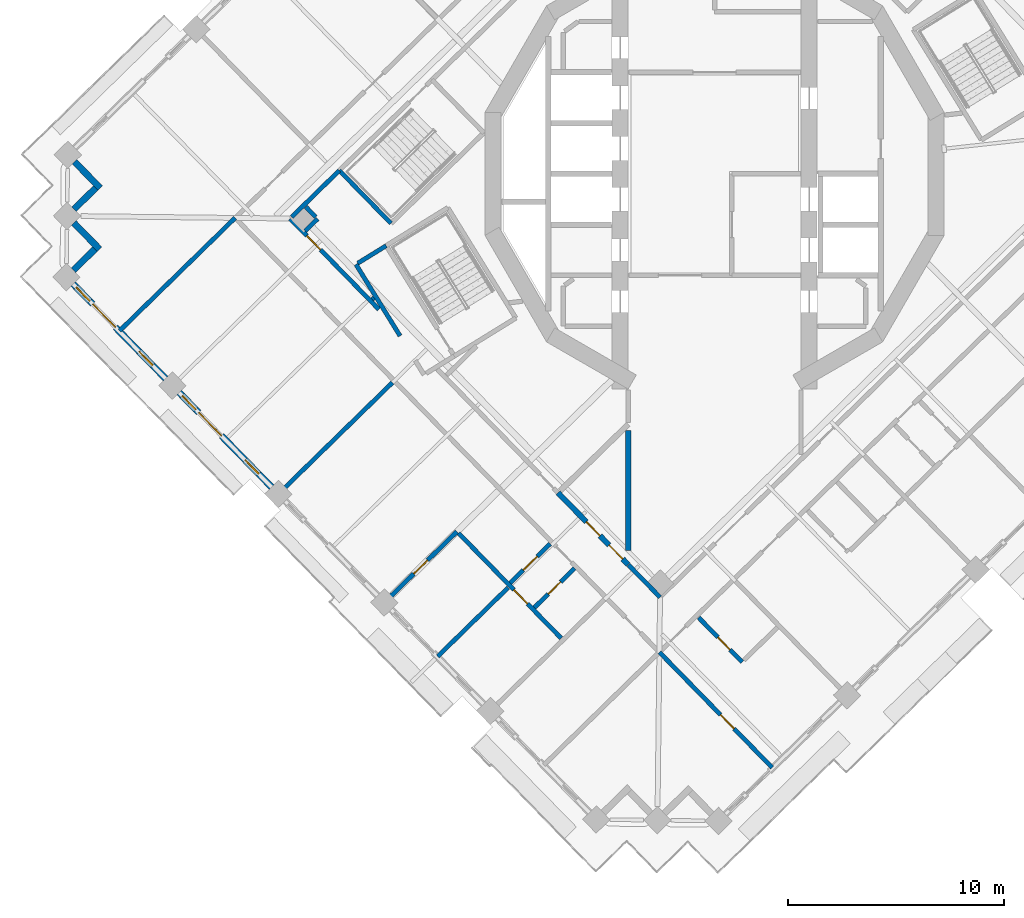
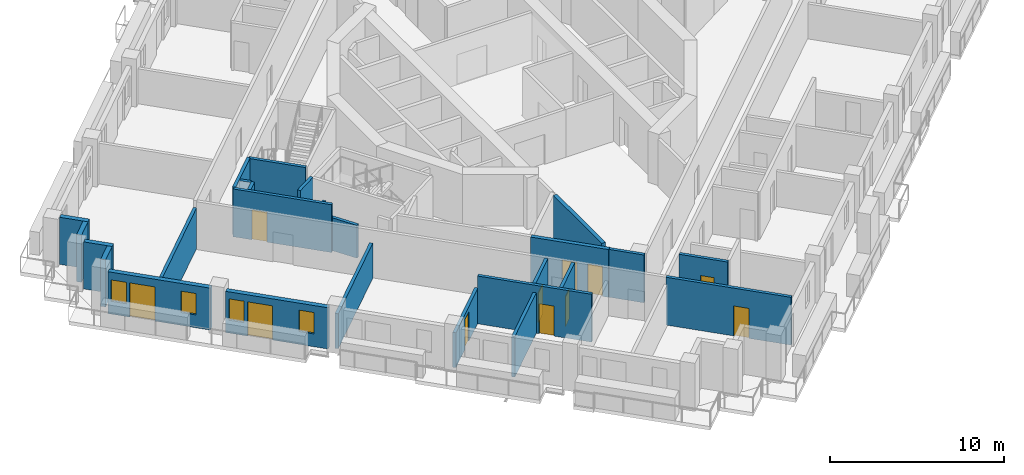
# One storey, part 7 of 20: 26 walls, 11 doors, 4 windows, 15 openings.
"""IFC4 building model written with IfcOpenShell, lengths in metres."""

from ifc_helpers import new_model, si_unit, direction, frame, frame_2d, origin, place, context, subcontext, project, spatial, rectangle, extrude, material, layer, layer_set, type_object, element, fill, save


model = new_model("IFC4")

# Units and contexts
model_context = context("Model", 3, precision=1e-05, world=origin(), true_north=direction((0.0, 1.0)))
body_context = subcontext(model_context, "Body", "Model", "MODEL_VIEW")
ifc_project = project(units=[si_unit("LENGTHUNIT", "METRE"), si_unit("AREAUNIT", "SQUARE_METRE"), si_unit("VOLUMEUNIT", "CUBIC_METRE"), si_unit("PLANEANGLEUNIT", "RADIAN"), si_unit("MASSUNIT", "GRAM", prefix="KILO")], contexts=[model_context])

# Site, building, storey
site_placement = place(None, origin())
site = spatial("IfcSite", under=ifc_project, at=site_placement, CompositionType="ELEMENT")
building_placement = place(site_placement, origin())
building = spatial("IfcBuilding", under=site, at=building_placement, Name="Cantera Rosa Tower", CompositionType="ELEMENT")
storey_placement = place(building_placement, frame((0.0, 0.0, 209.0)))
storey = spatial("IfcBuildingStorey", under=building, at=storey_placement, Name="L44", CompositionType="ELEMENT", Elevation=209.0)

# Wall
ifc_material_1 = material(Name="Gypsum board partition")
ifc_layer_1 = layer(ifc_material_1, 0.199951171875)
ifc_layer_set_1 = layer_set([ifc_layer_1], Name="CORRIDOR WALL 200 H2300")
wall_type_1 = type_object("IfcWallType", Name="CORRIDOR WALL 200 H2300", PredefinedType="PARTITIONING", material=ifc_layer_set_1)
wall_1_placement = place(storey_placement, frame((-16.6005859375, -4.189697265625, 0.0), z_axis=(0.0, 0.0, 1.0), x_axis=(0.524986446256, -0.851110586967, 0.0)))
element("IfcWall", 1, at=wall_1_placement, inside=storey, type_object=wall_type_1, Name="CORRIDOR WALL L44-009", PredefinedType="PARTITIONING", context=body_context, shape_type="SweptSolid", body=[
    extrude(rectangle(XDim=3.890625, YDim=0.199951171875, at=frame_2d((1.9453125, 0.0))), origin(), (0.0, 0.0, 1.0), 2.300048828125),
])

# Wall, opening, door
ifc_material_2 = material(Name="Gypsum board partition")
ifc_layer_2 = layer(ifc_material_2, 0.199951171875)
ifc_layer_set_2 = layer_set([ifc_layer_2], Name="CORRIDOR WALL 200 H3350")
wall_type_2 = type_object("IfcWallType", Name="CORRIDOR WALL 200 H3350", PredefinedType="PARTITIONING", material=ifc_layer_set_2)
wall_2_placement = place(storey_placement, frame((-19.647705078125, -2.069580078125, 0.0), z_axis=(0.0, 0.0, 1.0), x_axis=(0.698845926006, -0.715272236079, 0.0)))
wall_2 = element("IfcWall", 2, at=wall_2_placement, inside=storey, type_object=wall_type_2, Name="CORRIDOR WALL L44-003", PredefinedType="PARTITIONING", context=body_context, shape_type="SweptSolid", body=[
    extrude(rectangle(XDim=5.870849609375, YDim=0.199951171875, at=frame_2d((2.935546875, 0.0))), origin(), (0.0, 0.0, 1.0), 3.35009765625),
])
opening_1_placement = place(wall_2_placement, frame((1.11279296875, 0.0, 0.0)))
opening_1 = element("IfcOpeningElement", 3, at=opening_1_placement, cuts=wall_2, Name="Opening L44-008", PredefinedType="OPENING", context=body_context, shape_type="SweptSolid", body=[
    extrude(rectangle(XDim=0.89990234375, YDim=2.10009765625, at=frame_2d((0.449951171875, 1.050048828125))), frame((0.0, 0.10986328125, 0.0), z_axis=(0.0, -1.0, 0.0), x_axis=(1.0, 0.0, 0.0)), (0.0, 0.0, 1.0), 0.219970703125),
])
ifc_material_3 = material(Name="Timber door leaf", Category="wood")
door_type_1 = type_object("IfcDoorType", Name="SERVICE DOOR 900x2100", OperationType="NOTDEFINED", PredefinedType="DOOR", material=ifc_material_3)
door_1_placement = place(opening_1_placement, origin())
door_1 = element("IfcDoor", 4, at=door_1_placement, inside=storey, type_object=door_type_1, Name="DOOR L44-008", OperationType="NOTDEFINED", OverallHeight=2.10009765625, OverallWidth=0.89990234375, PredefinedType="DOOR", context=body_context, shape_type="SweptSolid", body=[
    extrude(rectangle(XDim=0.89990234375, YDim=2.10009765625, at=frame_2d((0.449951171875, 1.050048828125))), frame((0.0, 0.02490234375, 0.0), z_axis=(0.0, -1.0, 0.0), x_axis=(1.0, 0.0, 0.0)), (0.0, 0.0, 1.0), 0.050048828125),
])
fill(opening_1, door_1)

# Walls
wall_3_placement = place(storey_placement, frame((-17.36962890625, 0.156005859375, 0.0), z_axis=(0.0, 0.0, 1.0), x_axis=(-0.715289693103, -0.69882805821, 0.0)))
element("IfcWall", 5, at=wall_3_placement, inside=storey, type_object=wall_type_2, Name="CORRIDOR WALL L44-007", PredefinedType="PARTITIONING", context=body_context, shape_type="SweptSolid", body=[
    extrude(rectangle(XDim=3.084716796875, YDim=0.199951171875, at=frame_2d((1.54248046875, 0.0))), origin(), (0.0, 0.0, 1.0), 3.35009765625),
])
wall_4_placement = place(storey_placement, frame((-15.20068359375, -3.325927734375, 0.0), z_axis=(0.0, 0.0, 1.0), x_axis=(-0.851055543597, -0.525075672368, 0.0)))
element("IfcWall", 6, at=wall_4_placement, inside=storey, type_object=wall_type_2, Name="CORRIDOR WALL L44-013", PredefinedType="PARTITIONING", context=body_context, shape_type="SweptSolid", body=[
    extrude(rectangle(XDim=1.545166015625, YDim=0.199951171875, at=frame_2d((0.7724609375, 0.0))), origin(), (0.0, 0.0, 1.0), 3.35009765625),
])
wall_5_placement = place(storey_placement, frame((-3.986083984375, -18.10009765625, 0.0), z_axis=(0.0, 0.0, 1.0), x_axis=(0.698877234419, -0.715241645327, 0.0)))
element("IfcWall", 7, at=wall_5_placement, inside=storey, type_object=wall_type_2, Name="CORRIDOR WALL L44-054", PredefinedType="PARTITIONING", context=body_context, shape_type="SweptSolid", body=[
    extrude(rectangle(XDim=2.088623046875, YDim=0.199951171875, at=frame_2d((1.04443359375, 0.0))), origin(), (0.0, 0.0, 1.0), 3.35009765625),
])
ifc_material_4 = material(Name="Hollow clay masonry with cantera stone cladding", Category="masonry")
ifc_layer_3 = layer(ifc_material_4, 0.300048828125)
ifc_layer_set_3 = layer_set([ifc_layer_3], Name="EW-LOGGIA 300")
wall_type_3 = type_object("IfcWallType", Name="EW-LOGGIA 300", PredefinedType="SOLIDWALL", material=ifc_layer_set_3)
wall_6_placement = place(storey_placement, frame((-29.623291015625, 0.556884765625, 0.0), z_axis=(0.0, 0.0, 1.0), x_axis=(0.69880105094, -0.715316077832, 0.0)))
element("IfcWall", 8, at=wall_6_placement, inside=storey, type_object=wall_type_3, Name="EN-L44-W12a", PredefinedType="SOLIDWALL", context=body_context, shape_type="SweptSolid", body=[
    extrude(rectangle(XDim=1.699951171875, YDim=0.300048828125, at=frame_2d((0.85009765625, 0.0))), origin(), (0.0, 0.0, 1.0), 3.300048828125),
])
wall_7_placement = place(storey_placement, frame((-28.6474609375, -0.65673828125, 0.0), z_axis=(0.0, 0.0, 1.0), x_axis=(-0.715341715727, -0.698774806172, 0.0)))
element("IfcWall", 9, at=wall_7_placement, inside=storey, type_object=wall_type_3, Name="EN-L44-W12b", PredefinedType="SOLIDWALL", context=body_context, shape_type="SweptSolid", body=[
    extrude(rectangle(XDim=1.39990234375, YDim=0.300048828125, at=frame_2d((0.699951171875, 0.0))), origin(), (0.0, 0.0, 1.0), 3.300048828125),
])
wall_8_placement = place(storey_placement, frame((-29.65625, -2.271484375, 0.0), z_axis=(0.0, 0.0, 1.0), x_axis=(0.698872839675, -0.715245939495, 0.0)))
element("IfcWall", 10, at=wall_8_placement, inside=storey, type_object=wall_type_3, Name="EN-L44-W13a", PredefinedType="SOLIDWALL", context=body_context, shape_type="SweptSolid", body=[
    extrude(rectangle(XDim=1.699951171875, YDim=0.300048828125, at=frame_2d((0.85009765625, 0.0))), origin(), (0.0, 0.0, 1.0), 3.300048828125),
])
wall_9_placement = place(storey_placement, frame((-28.680419921875, -3.48486328125, 0.0), z_axis=(0.0, 0.0, 1.0), x_axis=(-0.71516937164, -0.698951192766, 0.0)))
element("IfcWall", 11, at=wall_9_placement, inside=storey, type_object=wall_type_3, Name="EN-L44-W13b", PredefinedType="SOLIDWALL", context=body_context, shape_type="SweptSolid", body=[
    extrude(rectangle(XDim=1.39990234375, YDim=0.300048828125, at=frame_2d((0.699951171875, 0.0))), origin(), (0.0, 0.0, 1.0), 3.300048828125),
])

# Wall, openings, windows, door
ifc_material_5 = material(Name="Hollow clay masonry with cantera stone cladding", Category="masonry")
ifc_layer_4 = layer(ifc_material_5, 0.300048828125)
ifc_layer_set_4 = layer_set([ifc_layer_4], Name="EW-LOGGIA 300 H2890")
wall_type_4 = type_object("IfcWallType", Name="EW-LOGGIA 300 H2890", PredefinedType="SOLIDWALL", material=ifc_layer_set_4)
wall_10_placement = place(storey_placement, frame((-24.783203125, -10.120849609375, 0.0), z_axis=(0.0, 0.0, 1.0), x_axis=(0.698800768177, -0.715316354067, 0.0)))
wall_10 = element("IfcWall", 12, at=wall_10_placement, inside=storey, type_object=wall_type_4, Name="EN-L44-W15", PredefinedType="SOLIDWALL", context=body_context, shape_type="SweptSolid", body=[
    extrude(rectangle(XDim=6.119873046875, YDim=0.300048828125, at=frame_2d((3.06005859375, 0.0))), origin(), (0.0, 0.0, 1.0), 2.889892578125),
])
opening_2_placement = place(wall_10_placement, frame((0.199951171875, 0.0, 0.89990234375)))
opening_2 = element("IfcOpeningElement", 13, at=opening_2_placement, cuts=wall_10, Name="Opening L44-W25", PredefinedType="OPENING", context=body_context, shape_type="SweptSolid", body=[
    extrude(rectangle(XDim=0.89990234375, YDim=1.5, at=frame_2d((0.449951171875, 0.75))), frame((0.0, 0.159912109375, 0.0), z_axis=(0.0, -1.0, 0.0), x_axis=(1.0, 0.0, 0.0)), (0.0, 0.0, 1.0), 0.320068359375),
])
opening_3_placement = place(wall_10_placement, frame((1.300048828125, 0.0, 0.0)))
opening_3 = element("IfcOpeningElement", 14, at=opening_3_placement, cuts=wall_10, Name="Opening L44-TD26", PredefinedType="OPENING", context=body_context, shape_type="SweptSolid", body=[
    extrude(rectangle(XDim=1.5, YDim=2.39990234375, at=frame_2d((0.75, 1.199951171875))), frame((0.0, 0.159912109375, 0.0), z_axis=(0.0, -1.0, 0.0), x_axis=(1.0, 0.0, 0.0)), (0.0, 0.0, 1.0), 0.320068359375),
])
opening_4_placement = place(wall_10_placement, frame((4.364990234375, 0.0, 0.89990234375)))
opening_4 = element("IfcOpeningElement", 15, at=opening_4_placement, cuts=wall_10, Name="Opening L44-W27", PredefinedType="OPENING", context=body_context, shape_type="SweptSolid", body=[
    extrude(rectangle(XDim=0.89990234375, YDim=1.5, at=frame_2d((0.449951171875, 0.75))), frame((0.0, 0.159912109375, 0.0), z_axis=(0.0, -1.0, 0.0), x_axis=(1.0, 0.0, 0.0)), (0.0, 0.0, 1.0), 0.320068359375),
])
ifc_material_6 = material(Name="Aluminium frame with clear glass", Category="aluminium")
window_type = type_object("IfcWindowType", Name="Residential window 900x1500", PartitioningType="SINGLE_PANEL", PredefinedType="WINDOW", material=ifc_material_6)
window_1_placement = place(opening_2_placement, origin())
window_1 = element("IfcWindow", 16, at=window_1_placement, inside=storey, type_object=window_type, Name="WINDOW L44-W25", OverallHeight=1.5, OverallWidth=0.89990234375, PartitioningType="SINGLE_PANEL", PredefinedType="WINDOW", context=body_context, shape_type="SweptSolid", body=[
    extrude(rectangle(XDim=0.89990234375, YDim=1.5, at=frame_2d((0.449951171875, 0.75))), frame((0.0, 0.030029296875, 0.0), z_axis=(0.0, -1.0, 0.0), x_axis=(1.0, 0.0, 0.0)), (0.0, 0.0, 1.0), 0.06005859375),
])
fill(opening_2, window_1)
window_2_placement = place(opening_4_placement, origin())
window_2 = element("IfcWindow", 17, at=window_2_placement, inside=storey, type_object=window_type, Name="WINDOW L44-W27", OverallHeight=1.5, OverallWidth=0.89990234375, PartitioningType="SINGLE_PANEL", PredefinedType="WINDOW", context=body_context, shape_type="SweptSolid", body=[
    extrude(rectangle(XDim=0.89990234375, YDim=1.5, at=frame_2d((0.449951171875, 0.75))), frame((0.0, 0.030029296875, 0.0), z_axis=(0.0, -1.0, 0.0), x_axis=(1.0, 0.0, 0.0)), (0.0, 0.0, 1.0), 0.06005859375),
])
fill(opening_4, window_2)
ifc_material_7 = material(Name="Aluminium frame with clear glass", Category="aluminium")
door_type_2 = type_object("IfcDoorType", Name="TD-R 1500x2400", OperationType="NOTDEFINED", PredefinedType="DOOR", material=ifc_material_7)
door_2_placement = place(opening_3_placement, origin())
door_2 = element("IfcDoor", 18, at=door_2_placement, inside=storey, type_object=door_type_2, Name="LOGGIA DOOR L44-TD26", OperationType="SLIDING_TO_LEFT", OverallHeight=2.39990234375, OverallWidth=1.5, PredefinedType="DOOR", context=body_context, shape_type="SweptSolid", body=[
    extrude(rectangle(XDim=1.5, YDim=2.39990234375, at=frame_2d((0.75, 1.199951171875))), frame((0.0, 0.02490234375, 0.0), z_axis=(0.0, -1.0, 0.0), x_axis=(1.0, 0.0, 0.0)), (0.0, 0.0, 1.0), 0.050048828125),
])
fill(opening_3, door_2)

ifc_material_8 = material(Name="Hollow clay masonry with cantera stone cladding", Category="masonry")
ifc_layer_5 = layer(ifc_material_8, 0.300048828125)
ifc_layer_set_5 = layer_set([ifc_layer_5], Name="EW-LOGGIA 300 H2940")
wall_type_5 = type_object("IfcWallType", Name="EW-LOGGIA 300 H2940", PredefinedType="SOLIDWALL", material=ifc_layer_set_5)
wall_11_placement = place(storey_placement, frame((-29.689208984375, -5.099609375, 0.0), z_axis=(0.0, 0.0, 1.0), x_axis=(0.69882117953, -0.715296413412, 0.0)))
wall_11 = element("IfcWall", 19, at=wall_11_placement, inside=storey, type_object=wall_type_5, Name="EN-L44-W14", PredefinedType="SOLIDWALL", context=body_context, shape_type="SweptSolid", body=[
    extrude(rectangle(XDim=6.1201171875, YDim=0.300048828125, at=frame_2d((3.06005859375, 0.0))), origin(), (0.0, 0.0, 1.0), 2.93994140625),
])
opening_5_placement = place(wall_11_placement, frame((0.199951171875, 0.0, 0.89990234375)))
opening_5 = element("IfcOpeningElement", 20, at=opening_5_placement, cuts=wall_11, Name="Opening L44-W22", PredefinedType="OPENING", context=body_context, shape_type="SweptSolid", body=[
    extrude(rectangle(XDim=0.89990234375, YDim=1.5, at=frame_2d((0.449951171875, 0.75))), frame((0.0, 0.159912109375, 0.0), z_axis=(0.0, -1.0, 0.0), x_axis=(1.0, 0.0, 0.0)), (0.0, 0.0, 1.0), 0.320068359375),
])
opening_6_placement = place(wall_11_placement, frame((1.300048828125, 0.0, 0.0)))
opening_6 = element("IfcOpeningElement", 21, at=opening_6_placement, cuts=wall_11, Name="Opening L44-TD23", PredefinedType="OPENING", context=body_context, shape_type="SweptSolid", body=[
    extrude(rectangle(XDim=1.5, YDim=2.39990234375, at=frame_2d((0.75, 1.199951171875))), frame((0.0, 0.159912109375, 0.0), z_axis=(0.0, -1.0, 0.0), x_axis=(1.0, 0.0, 0.0)), (0.0, 0.0, 1.0), 0.320068359375),
])
opening_7_placement = place(wall_11_placement, frame((4.364990234375, 0.0, 0.89990234375)))
opening_7 = element("IfcOpeningElement", 22, at=opening_7_placement, cuts=wall_11, Name="Opening L44-W24", PredefinedType="OPENING", context=body_context, shape_type="SweptSolid", body=[
    extrude(rectangle(XDim=0.89990234375, YDim=1.5, at=frame_2d((0.449951171875, 0.75))), frame((0.0, 0.159912109375, 0.0), z_axis=(0.0, -1.0, 0.0), x_axis=(1.0, 0.0, 0.0)), (0.0, 0.0, 1.0), 0.320068359375),
])
window_3_placement = place(opening_5_placement, origin())
window_3 = element("IfcWindow", 23, at=window_3_placement, inside=storey, type_object=window_type, Name="WINDOW L44-W22", OverallHeight=1.5, OverallWidth=0.89990234375, PartitioningType="SINGLE_PANEL", PredefinedType="WINDOW", context=body_context, shape_type="SweptSolid", body=[
    extrude(rectangle(XDim=0.89990234375, YDim=1.5, at=frame_2d((0.449951171875, 0.75))), frame((0.0, 0.030029296875, 0.0), z_axis=(0.0, -1.0, 0.0), x_axis=(1.0, 0.0, 0.0)), (0.0, 0.0, 1.0), 0.06005859375),
])
fill(opening_5, window_3)
window_4_placement = place(opening_7_placement, origin())
window_4 = element("IfcWindow", 24, at=window_4_placement, inside=storey, type_object=window_type, Name="WINDOW L44-W24", OverallHeight=1.5, OverallWidth=0.89990234375, PartitioningType="SINGLE_PANEL", PredefinedType="WINDOW", context=body_context, shape_type="SweptSolid", body=[
    extrude(rectangle(XDim=0.89990234375, YDim=1.5, at=frame_2d((0.449951171875, 0.75))), frame((0.0, 0.030029296875, 0.0), z_axis=(0.0, -1.0, 0.0), x_axis=(1.0, 0.0, 0.0)), (0.0, 0.0, 1.0), 0.06005859375),
])
fill(opening_7, window_4)
door_3_placement = place(opening_6_placement, origin())
door_3 = element("IfcDoor", 25, at=door_3_placement, inside=storey, type_object=door_type_2, Name="LOGGIA DOOR L44-TD23", OperationType="SLIDING_TO_LEFT", OverallHeight=2.39990234375, OverallWidth=1.5, PredefinedType="DOOR", context=body_context, shape_type="SweptSolid", body=[
    extrude(rectangle(XDim=1.5, YDim=2.39990234375, at=frame_2d((0.75, 1.199951171875))), frame((0.0, 0.02490234375, 0.0), z_axis=(0.0, -1.0, 0.0), x_axis=(1.0, 0.0, 0.0)), (0.0, 0.0, 1.0), 0.050048828125),
])
fill(opening_6, door_3)

# Wall, opening, door
ifc_material_9 = material(Name="Gypsum board partition")
ifc_layer_6 = layer(ifc_material_9, 0.199951171875)
ifc_layer_set_6 = layer_set([ifc_layer_6], Name="PARTITION 200 H2450")
wall_type_6 = type_object("IfcWallType", Name="PARTITION 200 H2450", PredefinedType="PARTITIONING", material=ifc_layer_set_6)
wall_12_placement = place(storey_placement, frame((-15.2646484375, -19.82080078125, 0.0), z_axis=(0.0, 0.0, 1.0), x_axis=(0.715266781779, 0.698851508465, 0.0)))
wall_12 = element("IfcWall", 26, at=wall_12_placement, inside=storey, type_object=wall_type_6, Name="PARTITION L44-012", PredefinedType="PARTITIONING", context=body_context, shape_type="SweptSolid", body=[
    extrude(rectangle(XDim=4.670166015625, YDim=0.199951171875, at=frame_2d((2.3349609375, 0.0))), origin(), (0.0, 0.0, 1.0), 2.449951171875),
])
opening_8_placement = place(wall_12_placement, frame((1.8701171875, 0.0, 0.0)))
opening_8 = element("IfcOpeningElement", 27, at=opening_8_placement, cuts=wall_12, Name="Opening L44-043", PredefinedType="OPENING", context=body_context, shape_type="SweptSolid", body=[
    extrude(rectangle(XDim=0.89990234375, YDim=2.10009765625, at=frame_2d((0.449951171875, 1.050048828125))), frame((0.0, 0.10986328125, 0.0), z_axis=(0.0, -1.0, 0.0), x_axis=(1.0, 0.0, 0.0)), (0.0, 0.0, 1.0), 0.219970703125),
])
ifc_material_10 = material(Name="Timber door leaf", Category="wood")
door_type_3 = type_object("IfcDoorType", Name="ROOM DOOR 900x2100", OperationType="NOTDEFINED", PredefinedType="DOOR", material=ifc_material_10)
door_4_placement = place(opening_8_placement, origin())
door_4 = element("IfcDoor", 28, at=door_4_placement, inside=storey, type_object=door_type_3, Name="DOOR L44-043", OperationType="NOTDEFINED", OverallHeight=2.10009765625, OverallWidth=0.89990234375, PredefinedType="DOOR", context=body_context, shape_type="SweptSolid", body=[
    extrude(rectangle(XDim=0.89990234375, YDim=2.10009765625, at=frame_2d((0.449951171875, 1.050048828125))), frame((0.0, 0.02490234375, 0.0), z_axis=(0.0, -1.0, 0.0), x_axis=(1.0, 0.0, 0.0)), (0.0, 0.0, 1.0), 0.050048828125),
])
fill(opening_8, door_4)

# Walls
ifc_material_11 = material(Name="Gypsum board partition")
ifc_layer_7 = layer(ifc_material_11, 0.199951171875)
ifc_layer_set_7 = layer_set([ifc_layer_7], Name="PARTITION 200 H2850")
wall_type_7 = type_object("IfcWallType", Name="PARTITION 200 H2850", PredefinedType="PARTITIONING", material=ifc_layer_set_7)
wall_13_placement = place(storey_placement, frame((-22.193115234375, -2.0400390625, 0.0), z_axis=(0.0, 0.0, 1.0), x_axis=(-0.715278908715, -0.698839096465, 0.0)))
element("IfcWall", 29, at=wall_13_placement, inside=storey, type_object=wall_type_7, Name="PARTITION L44-001", PredefinedType="PARTITIONING", context=body_context, shape_type="SweptSolid", body=[
    extrude(rectangle(XDim=7.4697265625, YDim=0.199951171875, at=frame_2d((3.73486328125, 0.0))), origin(), (0.0, 0.0, 1.0), 2.85009765625),
])
wall_14_placement = place(storey_placement, frame((-12.811767578125, -22.331298828125, 0.0), z_axis=(0.0, 0.0, 1.0), x_axis=(0.715268883314, 0.698849357561, 0.0)))
element("IfcWall", 30, at=wall_14_placement, inside=storey, type_object=wall_type_7, Name="PARTITION L44-020", PredefinedType="PARTITIONING", context=body_context, shape_type="SweptSolid", body=[
    extrude(rectangle(XDim=4.5498046875, YDim=0.199951171875, at=frame_2d((2.27490234375, 0.0))), origin(), (0.0, 0.0, 1.0), 2.85009765625),
])
ifc_material_12 = material(Name="Gypsum board partition")
ifc_layer_8 = layer(ifc_material_12, 0.199951171875)
ifc_layer_set_8 = layer_set([ifc_layer_8], Name="PARTITION 200 H3350")
wall_type_8 = type_object("IfcWallType", Name="PARTITION 200 H3350", PredefinedType="PARTITIONING", material=ifc_layer_set_8)
wall_15_placement = place(storey_placement, frame((-18.947021484375, -2.6435546875, 0.0), z_axis=(0.0, 0.0, 1.0), x_axis=(0.715149057924, 0.698971977228, 0.0)))
element("IfcWall", 31, at=wall_15_placement, inside=storey, type_object=wall_type_8, Name="PARTITION L44-004", PredefinedType="PARTITIONING", context=body_context, shape_type="SweptSolid", body=[
    extrude(rectangle(XDim=0.7998046875, YDim=0.199951171875, at=frame_2d((0.39990234375, 0.0))), origin(), (0.0, 0.0, 1.0), 3.35009765625),
])
wall_16_placement = place(storey_placement, frame((-18.458740234375, -1.99853515625, 0.0), z_axis=(0.0, 0.0, 1.0), x_axis=(-0.698920044304, 0.715199812409, 0.0)))
element("IfcWall", 32, at=wall_16_placement, inside=storey, type_object=wall_type_8, Name="PARTITION L44-006", PredefinedType="PARTITIONING", context=body_context, shape_type="SweptSolid", body=[
    extrude(rectangle(XDim=0.659912109375, YDim=0.199951171875, at=frame_2d((0.330078125, 0.0))), origin(), (0.0, 0.0, 1.0), 3.35009765625),
])
wall_17_placement = place(storey_placement, frame((-15.76025390625, -5.741455078125, 0.0), z_axis=(0.0, 0.0, 1.0), x_axis=(-0.787193992955, -0.616705454374, 0.0)))
element("IfcWall", 33, at=wall_17_placement, inside=storey, type_object=wall_type_8, Name="PARTITION L44-011", PredefinedType="PARTITIONING", context=body_context, shape_type="SweptSolid", body=[
    extrude(rectangle(XDim=0.115966796875, YDim=0.199951171875, at=frame_2d((0.05810546875, 0.0))), origin(), (0.0, 0.0, 1.0), 3.35009765625),
])

# Wall, opening, door
wall_18_placement = place(storey_placement, frame((-11.8544921875, -16.628662109375, 0.0), z_axis=(0.0, 0.0, 1.0), x_axis=(0.698837366631, -0.715280598787, 0.0)))
wall_18 = element("IfcWall", 34, at=wall_18_placement, inside=storey, type_object=wall_type_8, Name="PARTITION L44-025", PredefinedType="PARTITIONING", context=body_context, shape_type="SweptSolid", body=[
    extrude(rectangle(XDim=6.800048828125, YDim=0.199951171875, at=frame_2d((3.39990234375, 0.0))), origin(), (0.0, 0.0, 1.0), 3.35009765625),
])
opening_9_placement = place(wall_18_placement, frame((3.669921875, 0.0, 0.0)))
opening_9 = element("IfcOpeningElement", 35, at=opening_9_placement, cuts=wall_18, Name="Opening L44-042", PredefinedType="OPENING", context=body_context, shape_type="SweptSolid", body=[
    extrude(rectangle(XDim=0.89990234375, YDim=2.10009765625, at=frame_2d((0.449951171875, 1.050048828125))), frame((0.0, 0.10986328125, 0.0), z_axis=(0.0, -1.0, 0.0), x_axis=(1.0, 0.0, 0.0)), (0.0, 0.0, 1.0), 0.219970703125),
])
door_5_placement = place(opening_9_placement, origin())
door_5 = element("IfcDoor", 36, at=door_5_placement, inside=storey, type_object=door_type_3, Name="DOOR L44-042", OperationType="NOTDEFINED", OverallHeight=2.10009765625, OverallWidth=0.89990234375, PredefinedType="DOOR", context=body_context, shape_type="SweptSolid", body=[
    extrude(rectangle(XDim=0.89990234375, YDim=2.10009765625, at=frame_2d((0.449951171875, 1.050048828125))), frame((0.0, 0.02490234375, 0.0), z_axis=(0.0, -1.0, 0.0), x_axis=(1.0, 0.0, 0.0)), (0.0, 0.0, 1.0), 0.050048828125),
])
fill(opening_9, door_5)

wall_19_placement = place(storey_placement, frame((-9.462890625, -18.93359375, 0.0), z_axis=(0.0, 0.0, 1.0), x_axis=(0.715291472517, 0.698826236875, 0.0)))
wall_19 = element("IfcWall", 37, at=wall_19_placement, inside=storey, type_object=wall_type_8, Name="PARTITION L44-028", PredefinedType="PARTITIONING", context=body_context, shape_type="SweptSolid", body=[
    extrude(rectangle(XDim=2.580078125, YDim=0.199951171875, at=frame_2d((1.2900390625, 0.0))), origin(), (0.0, 0.0, 1.0), 3.35009765625),
])
opening_10_placement = place(wall_19_placement, frame((0.85009765625, 0.0, 0.0)))
opening_10 = element("IfcOpeningElement", 38, at=opening_10_placement, cuts=wall_19, Name="Opening L44-041", PredefinedType="OPENING", context=body_context, shape_type="SweptSolid", body=[
    extrude(rectangle(XDim=0.89990234375, YDim=2.10009765625, at=frame_2d((0.449951171875, 1.050048828125))), frame((0.0, 0.10986328125, 0.0), z_axis=(0.0, -1.0, 0.0), x_axis=(1.0, 0.0, 0.0)), (0.0, 0.0, 1.0), 0.219970703125),
])
door_6_placement = place(opening_10_placement, origin())
door_6 = element("IfcDoor", 39, at=door_6_placement, inside=storey, type_object=door_type_3, Name="DOOR L44-041", OperationType="NOTDEFINED", OverallHeight=2.10009765625, OverallWidth=0.89990234375, PredefinedType="DOOR", context=body_context, shape_type="SweptSolid", body=[
    extrude(rectangle(XDim=0.89990234375, YDim=2.10009765625, at=frame_2d((0.449951171875, 1.050048828125))), frame((0.0, 0.02490234375, 0.0), z_axis=(0.0, -1.0, 0.0), x_axis=(1.0, 0.0, 0.0)), (0.0, 0.0, 1.0), 0.050048828125),
])
fill(opening_10, door_6)

wall_20_placement = place(storey_placement, frame((-8.3447265625, -20.077880859375, 0.0), z_axis=(0.0, 0.0, 1.0), x_axis=(0.715321599766, 0.698795398459, 0.0)))
wall_20 = element("IfcWall", 40, at=wall_20_placement, inside=storey, type_object=wall_type_8, Name="PARTITION L44-033", PredefinedType="PARTITIONING", context=body_context, shape_type="SweptSolid", body=[
    extrude(rectangle(XDim=2.60009765625, YDim=0.199951171875, at=frame_2d((1.300048828125, 0.0))), origin(), (0.0, 0.0, 1.0), 3.35009765625),
])
opening_11_placement = place(wall_20_placement, frame((0.89990234375, 0.0, 0.0)))
opening_11 = element("IfcOpeningElement", 41, at=opening_11_placement, cuts=wall_20, Name="Opening L44-040", PredefinedType="OPENING", context=body_context, shape_type="SweptSolid", body=[
    extrude(rectangle(XDim=0.800048828125, YDim=2.10009765625, at=frame_2d((0.39990234375, 1.050048828125))), frame((0.0, 0.10986328125, 0.0), z_axis=(0.0, -1.0, 0.0), x_axis=(1.0, 0.0, 0.0)), (0.0, 0.0, 1.0), 0.219970703125),
])
ifc_material_13 = material(Name="Timber door leaf", Category="wood")
door_type_4 = type_object("IfcDoorType", Name="BATHROOM DOOR 800x2100", OperationType="NOTDEFINED", PredefinedType="DOOR", material=ifc_material_13)
door_7_placement = place(opening_11_placement, origin())
door_7 = element("IfcDoor", 42, at=door_7_placement, inside=storey, type_object=door_type_4, Name="DOOR L44-040", OperationType="NOTDEFINED", OverallHeight=2.10009765625, OverallWidth=0.800048828125, PredefinedType="DOOR", context=body_context, shape_type="SweptSolid", body=[
    extrude(rectangle(XDim=0.800048828125, YDim=2.10009765625, at=frame_2d((0.39990234375, 1.050048828125))), frame((0.0, 0.02490234375, 0.0), z_axis=(0.0, -1.0, 0.0), x_axis=(1.0, 0.0, 0.0)), (0.0, 0.0, 1.0), 0.050048828125),
])
fill(opening_11, door_7)

wall_21_placement = place(storey_placement, frame((-2.555908203125, -22.1396484375, 0.0), z_axis=(0.0, 0.0, 1.0), x_axis=(0.698839096465, -0.715278908715, 0.0)))
wall_21 = element("IfcWall", 43, at=wall_21_placement, inside=storey, type_object=wall_type_8, Name="PARTITION L44-061", PredefinedType="PARTITIONING", context=body_context, shape_type="SweptSolid", body=[
    extrude(rectangle(XDim=7.4697265625, YDim=0.199951171875, at=frame_2d((3.73486328125, 0.0))), origin(), (0.0, 0.0, 1.0), 3.35009765625),
])
opening_12_placement = place(wall_21_placement, frame((4.050048828125, 0.0, 0.0)))
opening_12 = element("IfcOpeningElement", 44, at=opening_12_placement, cuts=wall_21, Name="Opening L44-055", PredefinedType="OPENING", context=body_context, shape_type="SweptSolid", body=[
    extrude(rectangle(XDim=0.89990234375, YDim=2.10009765625, at=frame_2d((0.449951171875, 1.050048828125))), frame((0.0, 0.10986328125, 0.0), z_axis=(0.0, -1.0, 0.0), x_axis=(1.0, 0.0, 0.0)), (0.0, 0.0, 1.0), 0.219970703125),
])
door_8_placement = place(opening_12_placement, origin())
door_8 = element("IfcDoor", 45, at=door_8_placement, inside=storey, type_object=door_type_3, Name="DOOR L44-055", OperationType="NOTDEFINED", OverallHeight=2.10009765625, OverallWidth=0.89990234375, PredefinedType="DOOR", context=body_context, shape_type="SweptSolid", body=[
    extrude(rectangle(XDim=0.89990234375, YDim=2.10009765625, at=frame_2d((0.449951171875, 1.050048828125))), frame((0.0, 0.02490234375, 0.0), z_axis=(0.0, -1.0, 0.0), x_axis=(1.0, 0.0, 0.0)), (0.0, 0.0, 1.0), 0.050048828125),
])
fill(opening_12, door_8)

wall_22_placement = place(storey_placement, frame((1.271484375, -22.59423828125, 0.0), z_axis=(0.0, 0.0, 1.0), x_axis=(-0.698792995546, 0.715323947157, 0.0)))
wall_22 = element("IfcWall", 46, at=wall_22_placement, inside=storey, type_object=wall_type_8, Name="PARTITION L44-071", PredefinedType="PARTITIONING", context=body_context, shape_type="SweptSolid", body=[
    extrude(rectangle(XDim=2.8798828125, YDim=0.199951171875, at=frame_2d((1.43994140625, 0.0))), origin(), (0.0, 0.0, 1.0), 3.35009765625),
])
opening_13_placement = place(wall_22_placement, frame((0.800048828125, 0.0, 0.0)))
opening_13 = element("IfcOpeningElement", 47, at=opening_13_placement, cuts=wall_22, Name="Opening L44-054", PredefinedType="OPENING", context=body_context, shape_type="SweptSolid", body=[
    extrude(rectangle(XDim=0.800048828125, YDim=2.10009765625, at=frame_2d((0.39990234375, 1.050048828125))), frame((0.0, 0.10986328125, 0.0), z_axis=(0.0, -1.0, 0.0), x_axis=(1.0, 0.0, 0.0)), (0.0, 0.0, 1.0), 0.219970703125),
])
door_9_placement = place(opening_13_placement, origin())
door_9 = element("IfcDoor", 48, at=door_9_placement, inside=storey, type_object=door_type_4, Name="DOOR L44-054", OperationType="NOTDEFINED", OverallHeight=2.10009765625, OverallWidth=0.800048828125, PredefinedType="DOOR", context=body_context, shape_type="SweptSolid", body=[
    extrude(rectangle(XDim=0.800048828125, YDim=2.10009765625, at=frame_2d((0.39990234375, 1.050048828125))), frame((0.0, 0.02490234375, 0.0), z_axis=(0.0, -1.0, 0.0), x_axis=(1.0, 0.0, 0.0)), (0.0, 0.0, 1.0), 0.050048828125),
])
fill(opening_13, door_9)

# Wall
ifc_material_14 = material(Name="Gypsum board partition")
ifc_layer_9 = layer(ifc_material_14, 0.199951171875)
ifc_layer_set_9 = layer_set([ifc_layer_9], Name="PARTY WALL 200 H2450")
wall_type_9 = type_object("IfcWallType", Name="PARTY WALL 200 H2450", PredefinedType="PARTITIONING", material=ifc_layer_set_9)
wall_23_placement = place(storey_placement, frame((-14.9130859375, -9.6630859375, 0.0), z_axis=(0.0, 0.0, 1.0), x_axis=(-0.715296630095, -0.698820957739, 0.0)))
element("IfcWall", 49, at=wall_23_placement, inside=storey, type_object=wall_type_9, Name="PARTY WALL L44-015", PredefinedType="PARTITIONING", context=body_context, shape_type="SweptSolid", body=[
    extrude(rectangle(XDim=7.349853515625, YDim=0.199951171875, at=frame_2d((3.6748046875, 0.0))), origin(), (0.0, 0.0, 1.0), 2.449951171875),
])

# Wall, openings, doors
ifc_material_15 = material(Name="Masonry blockwork", Category="masonry")
ifc_layer_10 = layer(ifc_material_15, 0.25)
ifc_layer_set_10 = layer_set([ifc_layer_10], Name="SHAFT WALL 250 H3350")
wall_type_10 = type_object("IfcWallType", Name="SHAFT WALL 250 H3350", PredefinedType="SOLIDWALL", material=ifc_layer_set_10)
wall_24_placement = place(storey_placement, frame((-7.243408203125, -14.76611328125, 0.0), z_axis=(0.0, 0.0, 1.0), x_axis=(0.698852834241, -0.715265486427, 0.0)))
wall_24 = element("IfcWall", 50, at=wall_24_placement, inside=storey, type_object=wall_type_10, Name="SHAFT WALL L44-042", PredefinedType="SOLIDWALL", context=body_context, shape_type="SweptSolid", body=[
    extrude(rectangle(XDim=4.64111328125, YDim=0.25, at=frame_2d((2.320556640625, 0.0))), origin(), (0.0, 0.0, 1.0), 3.35009765625),
])
opening_14_placement = place(wall_24_placement, frame((3.37890625, 0.0, 0.0)))
opening_14 = element("IfcOpeningElement", 51, at=opening_14_placement, cuts=wall_24, Name="Opening L44-010", PredefinedType="OPENING", context=body_context, shape_type="SweptSolid", body=[
    extrude(rectangle(XDim=0.89990234375, YDim=2.10009765625, at=frame_2d((0.449951171875, 1.050048828125))), frame((0.0, 0.135009765625, 0.0), z_axis=(0.0, -1.0, 0.0), x_axis=(1.0, 0.0, 0.0)), (0.0, 0.0, 1.0), 0.27001953125),
])
opening_15_placement = place(wall_24_placement, frame((1.87060546875, 0.0, 0.0)))
opening_15 = element("IfcOpeningElement", 52, at=opening_15_placement, cuts=wall_24, Name="Opening L44-057", PredefinedType="OPENING", context=body_context, shape_type="SweptSolid", body=[
    extrude(rectangle(XDim=0.89990234375, YDim=2.10009765625, at=frame_2d((0.449951171875, 1.050048828125))), frame((0.0, 0.135009765625, 0.0), z_axis=(0.0, -1.0, 0.0), x_axis=(1.0, 0.0, 0.0)), (0.0, 0.0, 1.0), 0.27001953125),
])
door_10_placement = place(opening_14_placement, origin())
door_10 = element("IfcDoor", 53, at=door_10_placement, inside=storey, type_object=door_type_1, Name="RISER DOOR L44-010", OperationType="NOTDEFINED", OverallHeight=2.10009765625, OverallWidth=0.89990234375, PredefinedType="DOOR", context=body_context, shape_type="SweptSolid", body=[
    extrude(rectangle(XDim=0.89990234375, YDim=2.10009765625, at=frame_2d((0.449951171875, 1.050048828125))), frame((0.0, 0.02490234375, 0.0), z_axis=(0.0, -1.0, 0.0), x_axis=(1.0, 0.0, 0.0)), (0.0, 0.0, 1.0), 0.050048828125),
])
fill(opening_14, door_10)
door_11_placement = place(opening_15_placement, origin())
door_11 = element("IfcDoor", 54, at=door_11_placement, inside=storey, type_object=door_type_1, Name="RISER DOOR L44-057", OperationType="NOTDEFINED", OverallHeight=2.10009765625, OverallWidth=0.89990234375, PredefinedType="DOOR", context=body_context, shape_type="SweptSolid", body=[
    extrude(rectangle(XDim=0.89990234375, YDim=2.10009765625, at=frame_2d((0.449951171875, 1.050048828125))), frame((0.0, 0.02490234375, 0.0), z_axis=(0.0, -1.0, 0.0), x_axis=(1.0, 0.0, 0.0)), (0.0, 0.0, 1.0), 0.050048828125),
])
fill(opening_15, door_11)

# Walls
wall_25_placement = place(storey_placement, frame((-4.0, -11.877197265625, 0.0), z_axis=(0.0, 0.0, 1.0), x_axis=(0.0, -1.0, 0.0)))
element("IfcWall", 55, at=wall_25_placement, inside=storey, type_object=wall_type_10, Name="SHAFT WALL L44-056", PredefinedType="SOLIDWALL", context=body_context, shape_type="SweptSolid", body=[
    extrude(rectangle(XDim=5.564697265625, YDim=0.25, at=frame_2d((2.7822265625, 0.0))), origin(), (0.0, 0.0, 1.0), 3.35009765625),
])
ifc_material_16 = material(Name="Concrete C50/60", Category="concrete")
ifc_layer_11 = layer(ifc_material_16, 0.199951171875)
ifc_layer_set_11 = layer_set([ifc_layer_11], Name="STAIR WALL 200 H3350")
wall_type_11 = type_object("IfcWallType", Name="STAIR WALL 200 H3350", PredefinedType="SOLIDWALL", material=ifc_layer_set_11)
wall_26_placement = place(storey_placement, frame((-17.36962890625, 0.156005859375, 0.0), z_axis=(0.0, 0.0, 1.0), x_axis=(0.698828566482, -0.715289196527, 0.0)))
element("IfcWall", 56, at=wall_26_placement, inside=storey, type_object=wall_type_11, Name="STAIR WALL L44-008", PredefinedType="SOLIDWALL", context=body_context, shape_type="SweptSolid", body=[
    extrude(rectangle(XDim=3.426025390625, YDim=0.199951171875, at=frame_2d((1.712890625, 0.0))), origin(), (0.0, 0.0, 1.0), 3.35009765625),
])

save(model, "model.ifc")
